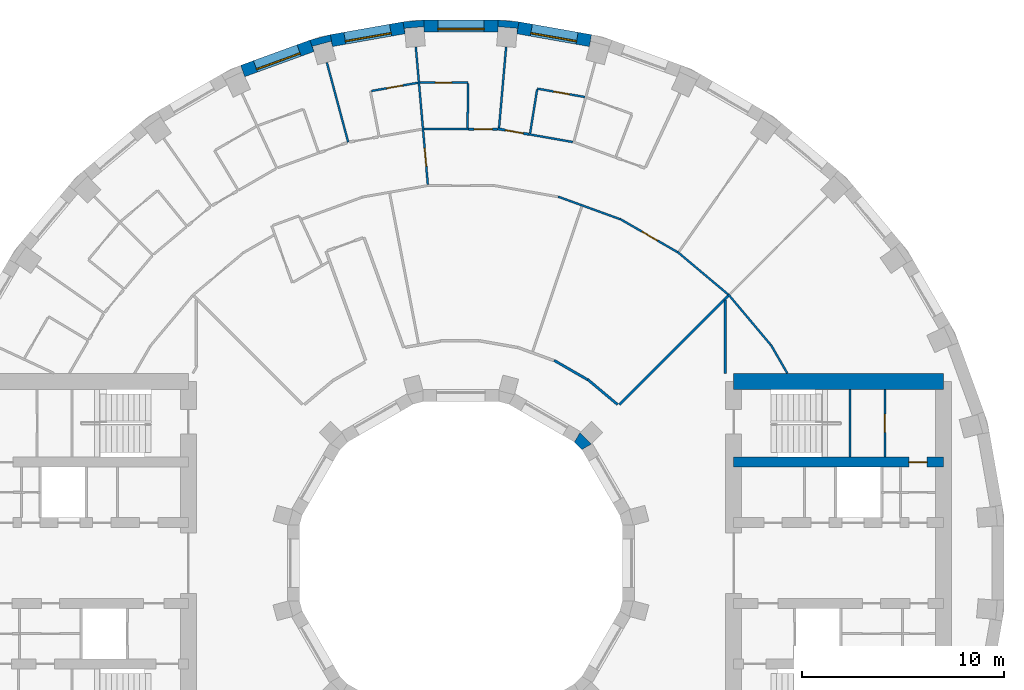
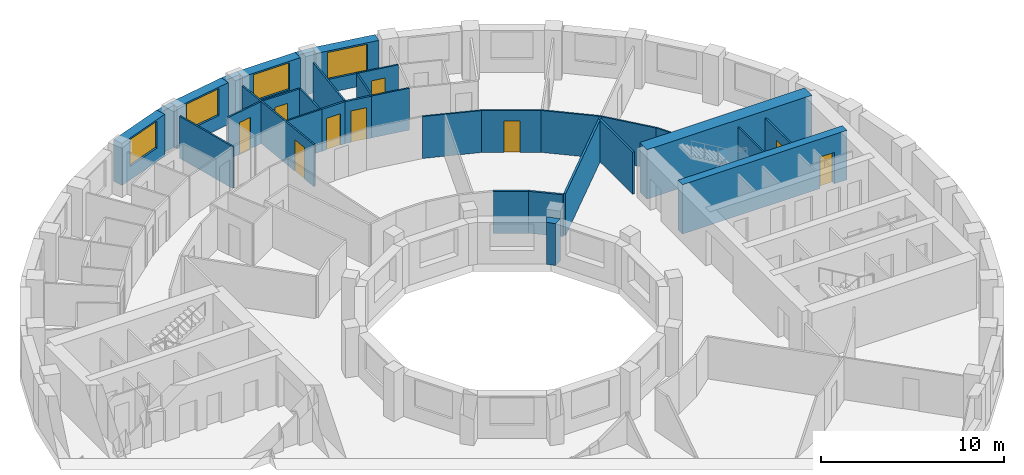
# One storey, part 11 of 14: 33 walls, 9 doors, 4 windows, 13 openings.
"""IFC4 building model written with IfcOpenShell, lengths in metres."""

from ifc_helpers import new_model, si_unit, direction, frame, frame_2d, origin, place, context, subcontext, project, spatial, polyline, rectangle, outline, extrude, material, layer, layer_set, type_object, element, fill, save


model = new_model("IFC4")

# Units and contexts
model_context = context("Model", 3, precision=1e-05, world=origin(), true_north=direction((0.0, 1.0)))
body_context = subcontext(model_context, "Body", "Model", "MODEL_VIEW")
ifc_project = project(units=[si_unit("LENGTHUNIT", "METRE"), si_unit("AREAUNIT", "SQUARE_METRE"), si_unit("VOLUMEUNIT", "CUBIC_METRE"), si_unit("PLANEANGLEUNIT", "RADIAN"), si_unit("MASSUNIT", "GRAM", prefix="KILO")], contexts=[model_context])

# Site, building, storey
site_placement = place(None, origin())
site = spatial("IfcSite", under=ifc_project, at=site_placement, CompositionType="ELEMENT")
building_placement = place(site_placement, origin())
building = spatial("IfcBuilding", under=site, at=building_placement, Name="Saqina Gate Tower", CompositionType="ELEMENT")
storey_placement = place(building_placement, frame((0.0, 0.0, 131.5)))
storey = spatial("IfcBuildingStorey", under=building, at=storey_placement, Name="L37", CompositionType="ELEMENT", Elevation=131.5)

# Walls
ifc_material_1 = material(Name="Brick masonry (buff)", Category="masonry")
wall_type_1 = type_object("IfcWallType", Name="BRICK PIER COPING BUFF", PredefinedType="SOLIDWALL", material=ifc_material_1)
wall_1_placement = place(storey_placement, origin())
element("IfcWall", 1, at=wall_1_placement, inside=storey, type_object=wall_type_1, Name="Pier cap L37 column 9", PredefinedType="SOLIDWALL", context=body_context, shape_type="SweptSolid", body=[
    extrude(outline(polyline([(2.87451171875, 26.805419921875), (1.823974609375, 26.897216796875), (1.823974609375, 26.29736328125), (1.847412109375, 26.565185546875), (2.793701171875, 26.482421875), (2.770263671875, 26.214599609375), (2.87451171875, 26.805419921875)])), origin(), (0.0, 0.0, 1.0), 2.800048828125),
])
wall_2_placement = place(storey_placement, origin())
element("IfcWall", 2, at=wall_2_placement, inside=storey, type_object=wall_type_1, Name="Pier cap L37 column 10", PredefinedType="SOLIDWALL", context=body_context, shape_type="SweptSolid", body=[
    extrude(outline(polyline([(-2.87451171875, 26.805419921875), (-2.770263671875, 26.214599609375), (-2.793701171875, 26.482421875), (-1.847412109375, 26.565185546875), (-1.823974609375, 26.29736328125), (-1.823974609375, 26.897216796875), (-2.87451171875, 26.805419921875)])), origin(), (0.0, 0.0, 1.0), 2.800048828125),
])
wall_3_placement = place(storey_placement, origin())
element("IfcWall", 3, at=wall_3_placement, inside=storey, type_object=wall_type_1, Name="Pier cap L37 column 11", PredefinedType="SOLIDWALL", context=body_context, shape_type="SweptSolid", body=[
    extrude(outline(polyline([(-6.466796875, 26.171875), (-7.485595703125, 25.89892578125), (-7.2802734375, 25.335205078125), (-7.349853515625, 25.5947265625), (-6.43212890625, 25.8408203125), (-6.36279296875, 25.5810546875), (-6.466796875, 26.171875)])), origin(), (0.0, 0.0, 1.0), 2.800048828125),
])

# Wall, opening, door
ifc_material_2 = material(Name="Gypsum board on steel studs", Category="steel")
ifc_layer_1 = layer(ifc_material_2, 0.10009765625)
ifc_layer_set_1 = layer_set([ifc_layer_1], Name="CORE PARTITION")
wall_type_2 = type_object("IfcWallType", Name="CORE PARTITION", PredefinedType="PARTITIONING", material=ifc_layer_set_1)
wall_4_placement = place(storey_placement, frame((20.991943359375, 5.25, 0.0), z_axis=(0.0, 0.0, 1.0), x_axis=(0.0, 1.0, 0.0)))
wall_4 = element("IfcWall", 4, at=wall_4_placement, inside=storey, type_object=wall_type_2, Name="L37-CP-E13", PredefinedType="PARTITIONING", context=body_context, shape_type="SweptSolid", body=[
    extrude(rectangle(XDim=3.35009765625, YDim=0.10009765625, at=frame_2d((1.675048828125, 0.0))), origin(), (0.0, 0.0, 1.0), 2.800048828125),
])
opening_1_placement = place(wall_4_placement, frame((1.22509765625, 0.0, 0.0)))
opening_1 = element("IfcOpeningElement", 5, at=opening_1_placement, cuts=wall_4, Name="Opening G11-D99", PredefinedType="OPENING", context=body_context, shape_type="SweptSolid", body=[
    extrude(rectangle(XDim=0.89990234375, YDim=2.10009765625, at=frame_2d((0.449951171875, 1.050048828125))), frame((0.0, 0.06201171875, 0.0), z_axis=(0.0, -1.0, 0.0), x_axis=(1.0, 0.0, 0.0)), (0.0, 0.0, 1.0), 0.1240234375),
])
ifc_material_3 = material(Name="Steel-framed fire door leaf, EI 60", Category="steel")
door_type_1 = type_object("IfcDoorType", Name="SERVICE ROOM DOOR 900", OperationType="SINGLE_SWING_LEFT", PredefinedType="DOOR", material=ifc_material_3)
door_1_placement = place(opening_1_placement, frame((0.89990234375, 0.0, 0.0), z_axis=(0.0, 0.0, 1.0), x_axis=(-1.0, 0.0, 0.0)))
door_1 = element("IfcDoor", 6, at=door_1_placement, inside=storey, type_object=door_type_1, Name="L37-CD-E10", OperationType="SINGLE_SWING_LEFT", OverallHeight=2.10009765625, OverallWidth=0.89990234375, PredefinedType="DOOR", context=body_context, shape_type="SweptSolid", body=[
    extrude(rectangle(XDim=0.89990234375, YDim=2.10009765625, at=frame_2d((0.449951171875, 1.050048828125))), frame((0.0, 0.02490234375, 0.0), z_axis=(0.0, -1.0, 0.0), x_axis=(1.0, 0.0, 0.0)), (0.0, 0.0, 1.0), 0.050048828125),
])
fill(opening_1, door_1)

# Wall, opening, window
ifc_material_4 = material(Name="Brick masonry (buff)", Category="masonry")
ifc_layer_2 = layer(ifc_material_4, 0.60009765625)
ifc_layer_set_2 = layer_set([ifc_layer_2], Name="FW-BRICK-BUFF")
wall_type_3 = type_object("IfcWallType", Name="FW-BRICK-BUFF", PredefinedType="SOLIDWALL", material=ifc_layer_set_2)
wall_5_placement = place(storey_placement, frame((6.414794921875, 25.87646484375, 0.0), z_axis=(0.0, 0.0, 1.0), x_axis=(-0.984803764455, 0.173670796382, 0.0)))
wall_5 = element("IfcWall", 7, at=wall_5_placement, inside=storey, type_object=wall_type_3, Name="Facade wall L37 facet 8", PredefinedType="SOLIDWALL", context=body_context, shape_type="SweptSolid", body=[
    extrude(rectangle(XDim=3.64794921875, YDim=0.60009765625, at=frame_2d((1.823974609375, 0.0))), origin(), (0.0, 0.0, 1.0), 2.800048828125),
])
opening_2_placement = place(wall_5_placement, frame((0.673828125, 0.0, 0.89990234375)))
opening_2 = element("IfcOpeningElement", 8, at=opening_2_placement, cuts=wall_5, Name="Opening G11-W06", PredefinedType="OPENING", context=body_context, shape_type="SweptSolid", body=[
    extrude(rectangle(XDim=2.300048828125, YDim=1.800048828125, at=frame_2d((1.14990234375, 0.89990234375))), frame((0.0, 0.31201171875, 0.0), z_axis=(0.0, -1.0, 0.0), x_axis=(1.0, 0.0, 0.0)), (0.0, 0.0, 1.0), 0.6240234375),
])
ifc_material_5 = material(Name="Aluminium glazing", Category="aluminium")
window_type = type_object("IfcWindowType", Name="WN-B", PartitioningType="SINGLE_PANEL", PredefinedType="WINDOW", material=ifc_material_5)
window_1_placement = place(opening_2_placement, origin())
window_1 = element("IfcWindow", 9, at=window_1_placement, inside=storey, type_object=window_type, Name="Window L37 facet 8", OverallHeight=1.800048828125, OverallWidth=2.300048828125, PartitioningType="SINGLE_PANEL", PredefinedType="WINDOW", context=body_context, shape_type="SweptSolid", body=[
    extrude(rectangle(XDim=2.300048828125, YDim=1.800048828125, at=frame_2d((1.14990234375, 0.89990234375))), frame((0.0, 0.179931640625, 0.0), z_axis=(0.0, -1.0, 0.0), x_axis=(1.0, 0.0, 0.0)), (0.0, 0.0, 1.0), 0.06005859375),
])
fill(opening_2, window_1)

wall_6_placement = place(storey_placement, frame((1.823974609375, 26.59716796875, 0.0), z_axis=(0.0, 0.0, 1.0), x_axis=(-1.0, 0.0, 0.0)))
wall_6 = element("IfcWall", 10, at=wall_6_placement, inside=storey, type_object=wall_type_3, Name="Facade wall L37 facet 9", PredefinedType="SOLIDWALL", context=body_context, shape_type="SweptSolid", body=[
    extrude(rectangle(XDim=3.64794921875, YDim=0.60009765625, at=frame_2d((1.823974609375, 0.0))), origin(), (0.0, 0.0, 1.0), 2.800048828125),
])
opening_3_placement = place(wall_6_placement, frame((0.673828125, 0.0, 0.89990234375)))
opening_3 = element("IfcOpeningElement", 11, at=opening_3_placement, cuts=wall_6, Name="Opening G11-W07", PredefinedType="OPENING", context=body_context, shape_type="SweptSolid", body=[
    extrude(rectangle(XDim=2.300048828125, YDim=1.800048828125, at=frame_2d((1.14990234375, 0.89990234375))), frame((0.0, 0.31201171875, 0.0), z_axis=(0.0, -1.0, 0.0), x_axis=(1.0, 0.0, 0.0)), (0.0, 0.0, 1.0), 0.6240234375),
])
window_2_placement = place(opening_3_placement, origin())
window_2 = element("IfcWindow", 12, at=window_2_placement, inside=storey, type_object=window_type, Name="Window L37 facet 9", OverallHeight=1.800048828125, OverallWidth=2.300048828125, PartitioningType="SINGLE_PANEL", PredefinedType="WINDOW", context=body_context, shape_type="SweptSolid", body=[
    extrude(rectangle(XDim=2.300048828125, YDim=1.800048828125, at=frame_2d((1.14990234375, 0.89990234375))), frame((0.0, 0.179931640625, 0.0), z_axis=(0.0, -1.0, 0.0), x_axis=(1.0, 0.0, 0.0)), (0.0, 0.0, 1.0), 0.06005859375),
])
fill(opening_3, window_2)

wall_7_placement = place(storey_placement, frame((-2.822265625, 26.510009765625, 0.0), z_axis=(0.0, 0.0, 1.0), x_axis=(-0.984803764455, -0.173670796382, 0.0)))
wall_7 = element("IfcWall", 13, at=wall_7_placement, inside=storey, type_object=wall_type_3, Name="Facade wall L37 facet 10", PredefinedType="SOLIDWALL", context=body_context, shape_type="SweptSolid", body=[
    extrude(rectangle(XDim=3.64794921875, YDim=0.60009765625, at=frame_2d((1.823974609375, 0.0))), origin(), (0.0, 0.0, 1.0), 2.800048828125),
])
opening_4_placement = place(wall_7_placement, frame((0.673828125, 0.0, 0.89990234375)))
opening_4 = element("IfcOpeningElement", 14, at=opening_4_placement, cuts=wall_7, Name="Opening G11-W08", PredefinedType="OPENING", context=body_context, shape_type="SweptSolid", body=[
    extrude(rectangle(XDim=2.300048828125, YDim=1.800048828125, at=frame_2d((1.14990234375, 0.89990234375))), frame((0.0, 0.31201171875, 0.0), z_axis=(0.0, -1.0, 0.0), x_axis=(1.0, 0.0, 0.0)), (0.0, 0.0, 1.0), 0.6240234375),
])
window_3_placement = place(opening_4_placement, origin())
window_3 = element("IfcWindow", 15, at=window_3_placement, inside=storey, type_object=window_type, Name="Window L37 facet 10", OverallHeight=1.800048828125, OverallWidth=2.300048828125, PartitioningType="SINGLE_PANEL", PredefinedType="WINDOW", context=body_context, shape_type="SweptSolid", body=[
    extrude(rectangle(XDim=2.300048828125, YDim=1.800048828125, at=frame_2d((1.14990234375, 0.89990234375))), frame((0.0, 0.179931640625, 0.0), z_axis=(0.0, -1.0, 0.0), x_axis=(1.0, 0.0, 0.0)), (0.0, 0.0, 1.0), 0.06005859375),
])
fill(opening_4, window_3)

wall_8_placement = place(storey_placement, frame((-7.3828125, 25.616943359375, 0.0), z_axis=(0.0, 0.0, 1.0), x_axis=(-0.939703505393, -0.341990236633, 0.0)))
wall_8 = element("IfcWall", 16, at=wall_8_placement, inside=storey, type_object=wall_type_3, Name="Facade wall L37 facet 11", PredefinedType="SOLIDWALL", context=body_context, shape_type="SweptSolid", body=[
    extrude(rectangle(XDim=3.64794921875, YDim=0.60009765625, at=frame_2d((1.823974609375, 0.0))), origin(), (0.0, 0.0, 1.0), 2.800048828125),
])
opening_5_placement = place(wall_8_placement, frame((0.673828125, 0.0, 0.89990234375)))
opening_5 = element("IfcOpeningElement", 17, at=opening_5_placement, cuts=wall_8, Name="Opening G11-W09", PredefinedType="OPENING", context=body_context, shape_type="SweptSolid", body=[
    extrude(rectangle(XDim=2.300048828125, YDim=1.800048828125, at=frame_2d((1.14990234375, 0.89990234375))), frame((0.0, 0.31201171875, 0.0), z_axis=(0.0, -1.0, 0.0), x_axis=(1.0, 0.0, 0.0)), (0.0, 0.0, 1.0), 0.6240234375),
])
window_4_placement = place(opening_5_placement, origin())
window_4 = element("IfcWindow", 18, at=window_4_placement, inside=storey, type_object=window_type, Name="Window L37 facet 11", OverallHeight=1.800048828125, OverallWidth=2.300048828125, PartitioningType="SINGLE_PANEL", PredefinedType="WINDOW", context=body_context, shape_type="SweptSolid", body=[
    extrude(rectangle(XDim=2.300048828125, YDim=1.800048828125, at=frame_2d((1.14990234375, 0.89990234375))), frame((0.0, 0.179931640625, 0.0), z_axis=(0.0, -1.0, 0.0), x_axis=(1.0, 0.0, 0.0)), (0.0, 0.0, 1.0), 0.06005859375),
])
fill(opening_5, window_4)

# Wall, opening, door
ifc_material_6 = material(Name="Gypsum board on steel studs, 100 mm", Category="steel")
ifc_layer_3 = layer(ifc_material_6, 0.10009765625)
ifc_layer_set_3 = layer_set([ifc_layer_3], Name="PARTITION 100")
wall_type_4 = type_object("IfcWallType", Name="PARTITION 100", PredefinedType="PARTITIONING", material=ifc_layer_set_3)
wall_9_placement = place(storey_placement, frame((-2.23681640625, 25.5673828125, 0.0), z_axis=(0.0, 0.0, 1.0), x_axis=(0.087068277691, -0.996202346424, 0.0)))
wall_9 = element("IfcWall", 19, at=wall_9_placement, inside=storey, type_object=wall_type_4, Name="PARTITION PW3-02", PredefinedType="PARTITIONING", context=body_context, shape_type="SweptSolid", body=[
    extrude(rectangle(XDim=6.844482421875, YDim=0.10009765625, at=frame_2d((3.42236328125, 0.0))), origin(), (0.0, 0.0, 1.0), 2.800048828125),
])
opening_6_placement = place(wall_9_placement, frame((5.040283203125, 0.0, 0.0)))
opening_6 = element("IfcOpeningElement", 20, at=opening_6_placement, cuts=wall_9, Name="Opening G11-D11", PredefinedType="OPENING", context=body_context, shape_type="SweptSolid", body=[
    extrude(rectangle(XDim=0.89990234375, YDim=2.10009765625, at=frame_2d((0.449951171875, 1.050048828125))), frame((0.0, 0.06201171875, 0.0), z_axis=(0.0, -1.0, 0.0), x_axis=(1.0, 0.0, 0.0)), (0.0, 0.0, 1.0), 0.1240234375),
])
ifc_material_7 = material(Name="Timber door leaf, 900 mm", Category="wood")
door_type_2 = type_object("IfcDoorType", Name="DOOR 900 TIMBER", OperationType="SINGLE_SWING_LEFT", PredefinedType="DOOR", material=ifc_material_7)
door_2_placement = place(opening_6_placement, origin())
door_2 = element("IfcDoor", 21, at=door_2_placement, inside=storey, type_object=door_type_2, Name="DOOR G11-D11", OperationType="SINGLE_SWING_RIGHT", OverallHeight=2.10009765625, OverallWidth=0.89990234375, PredefinedType="DOOR", context=body_context, shape_type="SweptSolid", body=[
    extrude(rectangle(XDim=0.89990234375, YDim=2.10009765625, at=frame_2d((0.449951171875, 1.050048828125))), frame((0.0, 0.02490234375, 0.0), z_axis=(0.0, -1.0, 0.0), x_axis=(1.0, 0.0, 0.0)), (0.0, 0.0, 1.0), 0.050048828125),
])
fill(opening_6, door_2)

# Walls
wall_10_placement = place(storey_placement, frame((-6.642333984375, 24.79052734375, 0.0), z_axis=(0.0, 0.0, 1.0), x_axis=(0.258796817064, -0.965931782, 0.0)))
element("IfcWall", 22, at=wall_10_placement, inside=storey, type_object=wall_type_4, Name="PARTITION PW3-09", PredefinedType="PARTITIONING", context=body_context, shape_type="SweptSolid", body=[
    extrude(rectangle(XDim=4.085693359375, YDim=0.10009765625, at=frame_2d((2.04296875, 0.0))), origin(), (0.0, 0.0, 1.0), 2.800048828125),
])
wall_11_placement = place(storey_placement, frame((15.3505859375, 10.81005859375, 0.0), z_axis=(0.0, 0.0, 1.0), x_axis=(0.499618727529, -0.866245419672, 0.0)))
element("IfcWall", 23, at=wall_11_placement, inside=storey, type_object=wall_type_4, Name="PARTITION PW3-15", PredefinedType="PARTITIONING", context=body_context, shape_type="SweptSolid", body=[
    extrude(rectangle(XDim=1.630126953125, YDim=0.10009765625, at=frame_2d((0.81494140625, 0.0))), origin(), (0.0, 0.0, 1.0), 2.800048828125),
])
for number, where, z_axis, x_axis, name in (
    (24, (13.2392578125, 13.310791015625, 0.0), (0.0, 0.0, 1.0), (0.643004881109, -0.76586207823, 0.0), "PARTITION PW3-20"),
    (25, (10.72705078125, 15.40869140625, 0.0), (0.0, 0.0, 1.0), (0.76586207823, -0.643004881109, 0.0), "PARTITION PW3-23"),
):
    element("IfcWall", number, at=place(storey_placement, frame(where, z_axis=z_axis, x_axis=x_axis)), inside=storey, type_object=wall_type_4, Name=name, PredefinedType="PARTITIONING", context=body_context, shape_type="SweptSolid", body=[
        extrude(rectangle(XDim=3.27294921875, YDim=0.10009765625, at=frame_2d((1.636474609375, 0.0))), origin(), (0.0, 0.0, 1.0), 2.800048828125),
    ])

# Wall, opening, door
wall_12_placement = place(storey_placement, frame((7.888916015625, 17.037353515625, 0.0), z_axis=(0.0, 0.0, 1.0), x_axis=(0.866002935623, -0.500038913978, 0.0)))
wall_12 = element("IfcWall", 26, at=wall_12_placement, inside=storey, type_object=wall_type_4, Name="PARTITION PW3-27", PredefinedType="PARTITIONING", context=body_context, shape_type="SweptSolid", body=[
    extrude(rectangle(XDim=3.272216796875, YDim=0.10009765625, at=frame_2d((1.63623046875, 0.0))), origin(), (0.0, 0.0, 1.0), 2.800048828125),
])
opening_7_placement = place(wall_12_placement, frame((1.236572265625, 0.0, 0.0)))
opening_7 = element("IfcOpeningElement", 27, at=opening_7_placement, cuts=wall_12, Name="Opening G11-D03", PredefinedType="OPENING", context=body_context, shape_type="SweptSolid", body=[
    extrude(rectangle(XDim=0.89990234375, YDim=2.10009765625, at=frame_2d((0.449951171875, 1.050048828125))), frame((0.0, 0.06201171875, 0.0), z_axis=(0.0, -1.0, 0.0), x_axis=(1.0, 0.0, 0.0)), (0.0, 0.0, 1.0), 0.1240234375),
])
door_3_placement = place(opening_7_placement, origin())
door_3 = element("IfcDoor", 28, at=door_3_placement, inside=storey, type_object=door_type_2, Name="DOOR G11-D03", OperationType="SINGLE_SWING_RIGHT", OverallHeight=2.10009765625, OverallWidth=0.89990234375, PredefinedType="DOOR", context=body_context, shape_type="SweptSolid", body=[
    extrude(rectangle(XDim=0.89990234375, YDim=2.10009765625, at=frame_2d((0.449951171875, 1.050048828125))), frame((0.0, 0.02490234375, 0.0), z_axis=(0.0, -1.0, 0.0), x_axis=(1.0, 0.0, 0.0)), (0.0, 0.0, 1.0), 0.050048828125),
])
fill(opening_7, door_3)

# Walls
wall_13_placement = place(storey_placement, frame((4.810302734375, 18.14794921875, 0.0), z_axis=(0.0, 0.0, 1.0), x_axis=(0.939747677998, -0.341868836979, 0.0)))
element("IfcWall", 29, at=wall_13_placement, inside=storey, type_object=wall_type_4, Name="PARTITION PW3-30", PredefinedType="PARTITIONING", context=body_context, shape_type="SweptSolid", body=[
    extrude(rectangle(XDim=3.27294921875, YDim=0.10009765625, at=frame_2d((1.636474609375, 0.0))), origin(), (0.0, 0.0, 1.0), 2.800048828125),
])
wall_14_placement = place(storey_placement, frame((3.36474609375, 21.235595703125, 0.0), z_axis=(0.0, 0.0, 1.0), x_axis=(0.98480584975, -0.173658971256, 0.0)))
element("IfcWall", 30, at=wall_14_placement, inside=storey, type_object=wall_type_4, Name="PARTITION PW3-36", PredefinedType="PARTITIONING", context=body_context, shape_type="SweptSolid", body=[
    extrude(rectangle(XDim=2.204345703125, YDim=0.10009765625, at=frame_2d((1.10205078125, 0.0))), origin(), (0.0, 0.0, 1.0), 2.800048828125),
])

# Wall, opening, door
wall_15_placement = place(storey_placement, frame((3.779052734375, 23.498046875, 0.0), z_axis=(0.0, 0.0, 1.0), x_axis=(0.984802055472, -0.173680486922, 0.0)))
wall_15 = element("IfcWall", 31, at=wall_15_placement, inside=storey, type_object=wall_type_4, Name="PARTITION PW3-37", PredefinedType="PARTITIONING", context=body_context, shape_type="SweptSolid", body=[
    extrude(rectangle(XDim=2.39111328125, YDim=0.10009765625, at=frame_2d((1.195556640625, 0.0))), origin(), (0.0, 0.0, 1.0), 2.800048828125),
])
opening_8_placement = place(wall_15_placement, frame((0.820556640625, 0.0, 0.0)))
opening_8 = element("IfcOpeningElement", 32, at=opening_8_placement, cuts=wall_15, Name="Opening G11-D06", PredefinedType="OPENING", context=body_context, shape_type="SweptSolid", body=[
    extrude(rectangle(XDim=0.800048828125, YDim=2.10009765625, at=frame_2d((0.39990234375, 1.050048828125))), frame((0.0, 0.06201171875, 0.0), z_axis=(0.0, -1.0, 0.0), x_axis=(1.0, 0.0, 0.0)), (0.0, 0.0, 1.0), 0.1240234375),
])
ifc_material_8 = material(Name="Timber door leaf, 800 mm", Category="wood")
door_type_3 = type_object("IfcDoorType", Name="DOOR 800 TIMBER", OperationType="SINGLE_SWING_LEFT", PredefinedType="DOOR", material=ifc_material_8)
door_4_placement = place(opening_8_placement, origin())
door_4 = element("IfcDoor", 33, at=door_4_placement, inside=storey, type_object=door_type_3, Name="DOOR G11-D06", OperationType="SINGLE_SWING_RIGHT", OverallHeight=2.10009765625, OverallWidth=0.800048828125, PredefinedType="DOOR", context=body_context, shape_type="SweptSolid", body=[
    extrude(rectangle(XDim=0.800048828125, YDim=2.10009765625, at=frame_2d((0.39990234375, 1.050048828125))), frame((0.0, 0.02490234375, 0.0), z_axis=(0.0, -1.0, 0.0), x_axis=(1.0, 0.0, 0.0)), (0.0, 0.0, 1.0), 0.050048828125),
])
fill(opening_8, door_4)

# Wall
wall_16_placement = place(storey_placement, frame((-1.8310546875, 21.4970703125, 0.0), z_axis=(0.0, 0.0, 1.0), x_axis=(1.0, 0.0, 0.0)))
element("IfcWall", 34, at=wall_16_placement, inside=storey, type_object=wall_type_4, Name="PARTITION PW3-42", PredefinedType="PARTITIONING", context=body_context, shape_type="SweptSolid", body=[
    extrude(rectangle(XDim=2.205078125, YDim=0.10009765625, at=frame_2d((1.1025390625, 0.0))), origin(), (0.0, 0.0, 1.0), 2.800048828125),
])

# Wall, opening, door
wall_17_placement = place(storey_placement, frame((-2.031982421875, 23.797119140625, 0.0), z_axis=(0.0, 0.0, 1.0), x_axis=(1.0, 0.0, 0.0)))
wall_17 = element("IfcWall", 35, at=wall_17_placement, inside=storey, type_object=wall_type_4, Name="PARTITION PW3-43", PredefinedType="PARTITIONING", context=body_context, shape_type="SweptSolid", body=[
    extrude(rectangle(XDim=2.390869140625, YDim=0.10009765625, at=frame_2d((1.1953125, 0.0))), origin(), (0.0, 0.0, 1.0), 2.800048828125),
])
opening_9_placement = place(wall_17_placement, frame((0.7705078125, 0.0, 0.0)))
opening_9 = element("IfcOpeningElement", 36, at=opening_9_placement, cuts=wall_17, Name="Opening G11-D10", PredefinedType="OPENING", context=body_context, shape_type="SweptSolid", body=[
    extrude(rectangle(XDim=0.800048828125, YDim=2.10009765625, at=frame_2d((0.39990234375, 1.050048828125))), frame((0.0, 0.06201171875, 0.0), z_axis=(0.0, -1.0, 0.0), x_axis=(1.0, 0.0, 0.0)), (0.0, 0.0, 1.0), 0.1240234375),
])
door_5_placement = place(opening_9_placement, origin())
door_5 = element("IfcDoor", 37, at=door_5_placement, inside=storey, type_object=door_type_3, Name="DOOR G11-D10", OperationType="SINGLE_SWING_LEFT", OverallHeight=2.10009765625, OverallWidth=0.800048828125, PredefinedType="DOOR", context=body_context, shape_type="SweptSolid", body=[
    extrude(rectangle(XDim=0.800048828125, YDim=2.10009765625, at=frame_2d((0.39990234375, 1.050048828125))), frame((0.0, 0.02490234375, 0.0), z_axis=(0.0, -1.0, 0.0), x_axis=(1.0, 0.0, 0.0)), (0.0, 0.0, 1.0), 0.050048828125),
])
fill(opening_9, door_5)

wall_18_placement = place(storey_placement, frame((-4.436767578125, 23.381591796875, 0.0), z_axis=(0.0, 0.0, 1.0), x_axis=(0.984790907087, 0.173743688574, 0.0)))
wall_18 = element("IfcWall", 38, at=wall_18_placement, inside=storey, type_object=wall_type_4, Name="PARTITION PW3-50", PredefinedType="PARTITIONING", context=body_context, shape_type="SweptSolid", body=[
    extrude(rectangle(XDim=2.341064453125, YDim=0.10009765625, at=frame_2d((1.17041015625, 0.0))), origin(), (0.0, 0.0, 1.0), 2.800048828125),
])
opening_10_placement = place(wall_18_placement, frame((0.7705078125, 0.0, 0.0)))
opening_10 = element("IfcOpeningElement", 39, at=opening_10_placement, cuts=wall_18, Name="Opening G11-D12", PredefinedType="OPENING", context=body_context, shape_type="SweptSolid", body=[
    extrude(rectangle(XDim=0.800048828125, YDim=2.10009765625, at=frame_2d((0.39990234375, 1.050048828125))), frame((0.0, 0.06201171875, 0.0), z_axis=(0.0, -1.0, 0.0), x_axis=(1.0, 0.0, 0.0)), (0.0, 0.0, 1.0), 0.1240234375),
])
door_6_placement = place(opening_10_placement, origin())
door_6 = element("IfcDoor", 40, at=door_6_placement, inside=storey, type_object=door_type_3, Name="DOOR G11-D12", OperationType="SINGLE_SWING_RIGHT", OverallHeight=2.10009765625, OverallWidth=0.800048828125, PredefinedType="DOOR", context=body_context, shape_type="SweptSolid", body=[
    extrude(rectangle(XDim=0.800048828125, YDim=2.10009765625, at=frame_2d((0.39990234375, 1.050048828125))), frame((0.0, 0.02490234375, 0.0), z_axis=(0.0, -1.0, 0.0), x_axis=(1.0, 0.0, 0.0)), (0.0, 0.0, 1.0), 0.050048828125),
])
fill(opening_10, door_6)

# Walls
wall_19_placement = place(storey_placement, frame((3.423828125, 21.288818359375, 0.0), z_axis=(0.0, 0.0, 1.0), x_axis=(0.158695579516, 0.987327561168, 0.0)))
element("IfcWall", 41, at=wall_19_placement, inside=storey, type_object=wall_type_4, Name="PARTITION PW3-83", PredefinedType="PARTITIONING", context=body_context, shape_type="SweptSolid", body=[
    extrude(rectangle(XDim=2.187744140625, YDim=0.10009765625, at=frame_2d((1.09375, 0.0))), origin(), (0.0, 0.0, 1.0), 2.800048828125),
])
wall_20_placement = place(storey_placement, frame((1.886474609375, 21.559326171875, 0.0), z_axis=(0.0, 0.0, 1.0), x_axis=(0.087137593131, 0.996196285811, 0.0)))
element("IfcWall", 42, at=wall_20_placement, inside=storey, type_object=wall_type_4, Name="PARTITION PW3-85", PredefinedType="PARTITIONING", context=body_context, shape_type="SweptSolid", body=[
    extrude(rectangle(XDim=4.0234375, YDim=0.10009765625, at=frame_2d((2.01171875, 0.0))), origin(), (0.0, 0.0, 1.0), 2.800048828125),
])
wall_21_placement = place(storey_placement, frame((0.324951171875, 21.5595703125, 0.0), z_axis=(0.0, 0.0, 1.0), x_axis=(0.015176823242, 0.999884825386, 0.0)))
element("IfcWall", 43, at=wall_21_placement, inside=storey, type_object=wall_type_4, Name="PARTITION PW3-86", PredefinedType="PARTITIONING", context=body_context, shape_type="SweptSolid", body=[
    extrude(rectangle(XDim=2.187744140625, YDim=0.10009765625, at=frame_2d((1.09375, 0.0))), origin(), (0.0, 0.0, 1.0), 2.800048828125),
])
ifc_material_9 = material(Name="Gypsum board on steel studs, 125 mm, fire rated", Category="steel")
ifc_layer_4 = layer(ifc_material_9, 0.125)
ifc_layer_set_4 = layer_set([ifc_layer_4], Name="PARTITION EI 30 125")
wall_type_5 = type_object("IfcWallType", Name="PARTITION EI 30 125", PredefinedType="PARTITIONING", material=ifc_layer_set_4)
wall_22_placement = place(storey_placement, frame((6.284423828125, 9.085693359375, 0.0), z_axis=(0.0, 0.0, 1.0), x_axis=(0.766243876147, -0.642549859752, 0.0)))
element("IfcWall", 44, at=wall_22_placement, inside=storey, type_object=wall_type_5, Name="PARTITION PW1-09", PredefinedType="PARTITIONING", context=body_context, shape_type="SweptSolid", body=[
    extrude(rectangle(XDim=1.92626953125, YDim=0.125, at=frame_2d((0.963134765625, 0.0))), origin(), (0.0, 0.0, 1.0), 2.800048828125),
])
wall_23_placement = place(storey_placement, frame((4.612060546875, 10.038818359375, 0.0), z_axis=(0.0, 0.0, 1.0), x_axis=(0.865978590021, -0.500081075052, 0.0)))
element("IfcWall", 45, at=wall_23_placement, inside=storey, type_object=wall_type_5, Name="PARTITION PW1-11", PredefinedType="PARTITIONING", context=body_context, shape_type="SweptSolid", body=[
    extrude(rectangle(XDim=1.925048828125, YDim=0.125, at=frame_2d((0.96240234375, 0.0))), origin(), (0.0, 0.0, 1.0), 2.800048828125),
])

# Wall, opening, door
wall_24_placement = place(storey_placement, frame((1.818603515625, 21.508056640625, 0.0), z_axis=(0.0, 0.0, 1.0), x_axis=(0.984825798369, -0.17354580625, 0.0)))
wall_24 = element("IfcWall", 46, at=wall_24_placement, inside=storey, type_object=wall_type_5, Name="PARTITION PW1-18", PredefinedType="PARTITIONING", context=body_context, shape_type="SweptSolid", body=[
    extrude(rectangle(XDim=1.570068359375, YDim=0.125, at=frame_2d((0.78515625, 0.0))), origin(), (0.0, 0.0, 1.0), 2.800048828125),
])
opening_11_placement = place(wall_24_placement, frame((0.391845703125, 0.0, 0.0)))
opening_11 = element("IfcOpeningElement", 47, at=opening_11_placement, cuts=wall_24, Name="Opening G11-D07", PredefinedType="OPENING", context=body_context, shape_type="SweptSolid", body=[
    extrude(rectangle(XDim=0.89990234375, YDim=2.10009765625, at=frame_2d((0.449951171875, 1.050048828125))), frame((0.0, 0.074462890625, 0.0), z_axis=(0.0, -1.0, 0.0), x_axis=(1.0, 0.0, 0.0)), (0.0, 0.0, 1.0), 0.14892578125),
])
ifc_material_10 = material(Name="Fire door leaf EI 30, 900 mm")
door_type_4 = type_object("IfcDoorType", Name="DOOR 900 EI 30", OperationType="SINGLE_SWING_LEFT", PredefinedType="DOOR", material=ifc_material_10)
door_7_placement = place(opening_11_placement, frame((0.89990234375, 0.0, 0.0), z_axis=(0.0, 0.0, 1.0), x_axis=(-1.0, 0.0, 0.0)))
door_7 = element("IfcDoor", 48, at=door_7_placement, inside=storey, type_object=door_type_4, Name="DOOR G11-D07", OperationType="SINGLE_SWING_RIGHT", OverallHeight=2.10009765625, OverallWidth=0.89990234375, PredefinedType="DOOR", context=body_context, shape_type="SweptSolid", body=[
    extrude(rectangle(XDim=0.89990234375, YDim=2.10009765625, at=frame_2d((0.449951171875, 1.050048828125))), frame((0.0, 0.02490234375, 0.0), z_axis=(0.0, -1.0, 0.0), x_axis=(1.0, 0.0, 0.0)), (0.0, 0.0, 1.0), 0.050048828125),
])
fill(opening_11, door_7)

wall_25_placement = place(storey_placement, frame((0.3740234375, 21.4970703125, 0.0), z_axis=(0.0, 0.0, 1.0), x_axis=(1.0, 0.0, 0.0)))
wall_25 = element("IfcWall", 49, at=wall_25_placement, inside=storey, type_object=wall_type_5, Name="PARTITION PW1-22", PredefinedType="PARTITIONING", context=body_context, shape_type="SweptSolid", body=[
    extrude(rectangle(XDim=1.444580078125, YDim=0.125, at=frame_2d((0.72216796875, 0.0))), origin(), (0.0, 0.0, 1.0), 2.800048828125),
])
opening_12_placement = place(wall_25_placement, frame((0.278564453125, 0.0, 0.0)))
opening_12 = element("IfcOpeningElement", 50, at=opening_12_placement, cuts=wall_25, Name="Opening G11-D08", PredefinedType="OPENING", context=body_context, shape_type="SweptSolid", body=[
    extrude(rectangle(XDim=0.89990234375, YDim=2.10009765625, at=frame_2d((0.449951171875, 1.050048828125))), frame((0.0, 0.074462890625, 0.0), z_axis=(0.0, -1.0, 0.0), x_axis=(1.0, 0.0, 0.0)), (0.0, 0.0, 1.0), 0.14892578125),
])
door_8_placement = place(opening_12_placement, frame((0.89990234375, 0.0, 0.0), z_axis=(0.0, 0.0, 1.0), x_axis=(-1.0, 0.0, 0.0)))
door_8 = element("IfcDoor", 51, at=door_8_placement, inside=storey, type_object=door_type_4, Name="DOOR G11-D08", OperationType="SINGLE_SWING_LEFT", OverallHeight=2.10009765625, OverallWidth=0.89990234375, PredefinedType="DOOR", context=body_context, shape_type="SweptSolid", body=[
    extrude(rectangle(XDim=0.89990234375, YDim=2.10009765625, at=frame_2d((0.449951171875, 1.050048828125))), frame((0.0, 0.02490234375, 0.0), z_axis=(0.0, -1.0, 0.0), x_axis=(1.0, 0.0, 0.0)), (0.0, 0.0, 1.0), 0.050048828125),
])
fill(opening_12, door_8)

# Walls
wall_26_placement = place(storey_placement, frame((7.852294921875, 7.852294921875, 0.0), z_axis=(0.0, 0.0, 1.0), x_axis=(0.707106781187, 0.707106781187, 0.0)))
element("IfcWall", 52, at=wall_26_placement, inside=storey, type_object=wall_type_5, Name="PARTITION PW1-38", PredefinedType="PARTITIONING", context=body_context, shape_type="SweptSolid", body=[
    extrude(rectangle(XDim=7.614501953125, YDim=0.125, at=frame_2d((3.80712890625, 0.0))), origin(), (0.0, 0.0, 1.0), 2.800048828125),
])
wall_27_placement = place(storey_placement, frame((13.10009765625, 9.39990234375, 0.0), z_axis=(0.0, 0.0, 1.0), x_axis=(0.0, 1.0, 0.0)))
element("IfcWall", 53, at=wall_27_placement, inside=storey, type_object=wall_type_5, Name="PARTITION PW1-46", PredefinedType="PARTITIONING", context=body_context, shape_type="SweptSolid", body=[
    extrude(rectangle(XDim=3.6376953125, YDim=0.125, at=frame_2d((1.81884765625, 0.0))), origin(), (0.0, 0.0, 1.0), 2.800048828125),
])
ifc_material_11 = material(Name="Autoclaved aerated concrete block", Category="concrete")
ifc_layer_5 = layer(ifc_material_11, 0.10009765625)
ifc_layer_set_5 = layer_set([ifc_layer_5], Name="STAIR ENCLOSURE WALL")
wall_type_6 = type_object("IfcWallType", Name="STAIR ENCLOSURE WALL", PredefinedType="PARTITIONING", material=ifc_layer_set_5)
wall_28_placement = place(storey_placement, frame((19.27001953125, 5.25, 0.0), z_axis=(0.0, 0.0, 1.0), x_axis=(0.0, 1.0, 0.0)))
element("IfcWall", 54, at=wall_28_placement, inside=storey, type_object=wall_type_6, Name="L37-CP-E12", PredefinedType="PARTITIONING", context=body_context, shape_type="SweptSolid", body=[
    extrude(rectangle(XDim=3.35009765625, YDim=0.10009765625, at=frame_2d((1.675048828125, 0.0))), origin(), (0.0, 0.0, 1.0), 2.800048828125),
])

# Wall, opening, door
ifc_material_12 = material(Name="Concrete C70/85", Category="concrete")
ifc_layer_6 = layer(ifc_material_12, 0.5)
ifc_layer_set_6 = layer_set([ifc_layer_6], Name="Concrete C70/85")
wall_type_7 = type_object("IfcWallType", Name="STR-CORE WALL-B-I", PredefinedType="SHEAR", material=ifc_layer_set_6)
wall_29_placement = place(storey_placement, frame((13.5, 5.0, 0.0), z_axis=(0.0, 0.0, 1.0), x_axis=(1.0, 0.0, 0.0)))
wall_29 = element("IfcWall", 55, at=wall_29_placement, inside=storey, type_object=wall_type_7, Name="CORE WALL L37 E-X1", PredefinedType="SHEAR", context=body_context, shape_type="SweptSolid", body=[
    extrude(rectangle(XDim=10.39990234375, YDim=0.5, at=frame_2d((5.199951171875, 0.0))), origin(), (0.0, 0.0, 1.0), 3.300048828125),
])
opening_13_placement = place(wall_29_placement, frame((8.685546875, 0.0, 0.0)))
opening_13 = element("IfcOpeningElement", 56, at=opening_13_placement, cuts=wall_29, Name="Opening G11-D100", PredefinedType="OPENING", context=body_context, shape_type="SweptSolid", body=[
    extrude(rectangle(XDim=0.89990234375, YDim=2.10009765625, at=frame_2d((0.449951171875, 1.050048828125))), frame((0.0, 0.261962890625, 0.0), z_axis=(0.0, -1.0, 0.0), x_axis=(1.0, 0.0, 0.0)), (0.0, 0.0, 1.0), 0.52392578125),
])
door_9_placement = place(opening_13_placement, origin())
door_9 = element("IfcDoor", 57, at=door_9_placement, inside=storey, type_object=door_type_1, Name="L37-CD-E11", OperationType="SINGLE_SWING_RIGHT", OverallHeight=2.10009765625, OverallWidth=0.89990234375, PredefinedType="DOOR", context=body_context, shape_type="SweptSolid", body=[
    extrude(rectangle(XDim=0.89990234375, YDim=2.10009765625, at=frame_2d((0.449951171875, 1.050048828125))), frame((0.0, 0.02490234375, 0.0), z_axis=(0.0, -1.0, 0.0), x_axis=(1.0, 0.0, 0.0)), (0.0, 0.0, 1.0), 0.050048828125),
])
fill(opening_13, door_9)

# Walls
ifc_material_13 = material(Name="Concrete C70/85", Category="concrete")
ifc_layer_7 = layer(ifc_material_13, 0.800048828125)
ifc_layer_set_7 = layer_set([ifc_layer_7], Name="Concrete C70/85")
wall_type_8 = type_object("IfcWallType", Name="STR-CORE WALL-B-O", PredefinedType="SHEAR", material=ifc_layer_set_7)
wall_30_placement = place(storey_placement, frame((13.5, 9.0, 0.0), z_axis=(0.0, 0.0, 1.0), x_axis=(1.0, 0.0, 0.0)))
element("IfcWall", 58, at=wall_30_placement, inside=storey, type_object=wall_type_8, Name="CORE WALL L37 E-NE", PredefinedType="SHEAR", context=body_context, shape_type="SweptSolid", body=[
    extrude(rectangle(XDim=10.39990234375, YDim=0.800048828125, at=frame_2d((5.199951171875, 0.0))), origin(), (0.0, 0.0, 1.0), 3.300048828125),
])
ifc_material_14 = material(Name="Glazed ceramic tile", Category="ceramic")
wall_type_9 = type_object("IfcWallType", Name="TILE PIER COPING", PredefinedType="SOLIDWALL", material=ifc_material_14)
wall_31_placement = place(storey_placement, origin())
element("IfcWall", 59, at=wall_31_placement, inside=storey, type_object=wall_type_9, Name="Well pier cap L37 column 2", PredefinedType="SOLIDWALL", context=body_context, shape_type="SweptSolid", body=[
    extrude(outline(polyline([(5.891845703125, 6.45751953125), (5.622802734375, 5.991455078125), (5.991455078125, 5.622802734375), (6.45751953125, 5.891845703125), (5.891845703125, 6.45751953125)])), origin(), (0.0, 0.0, 1.0), 2.800048828125),
])

save(model, "model.ifc")
